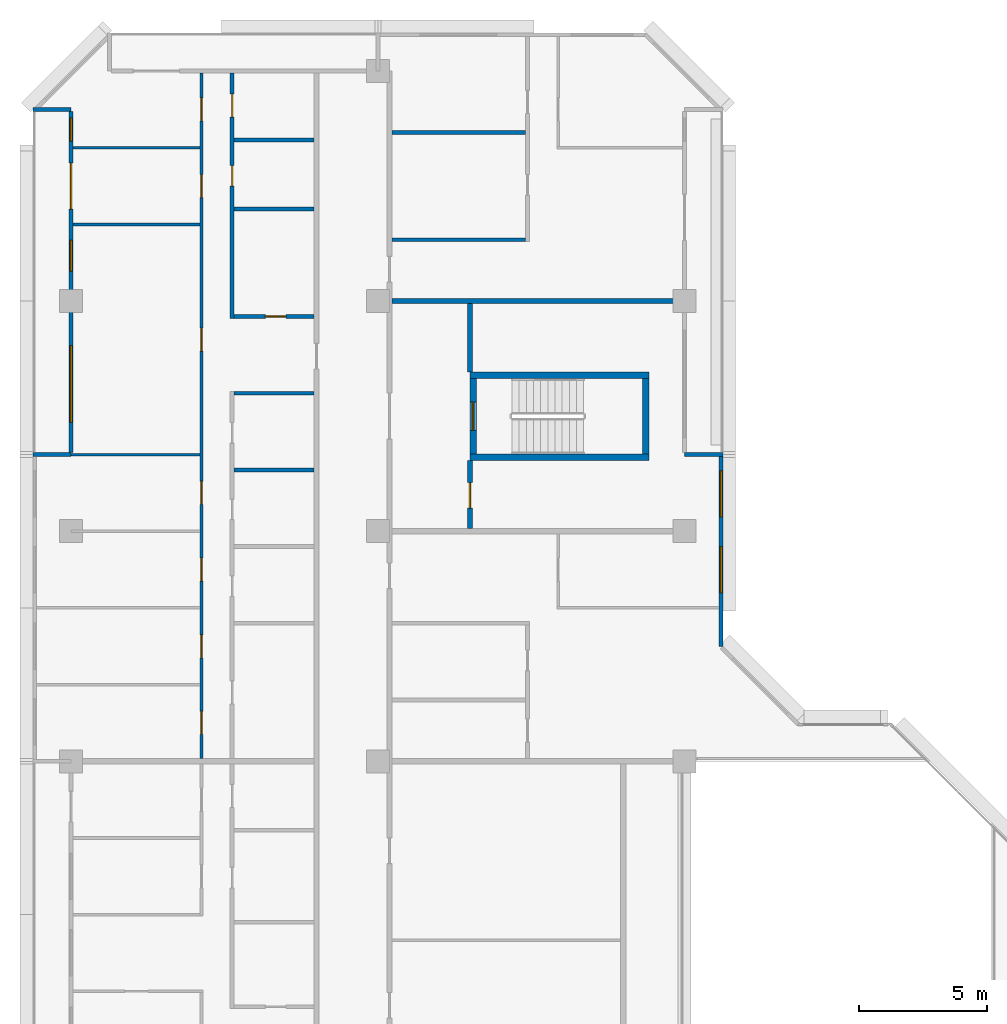
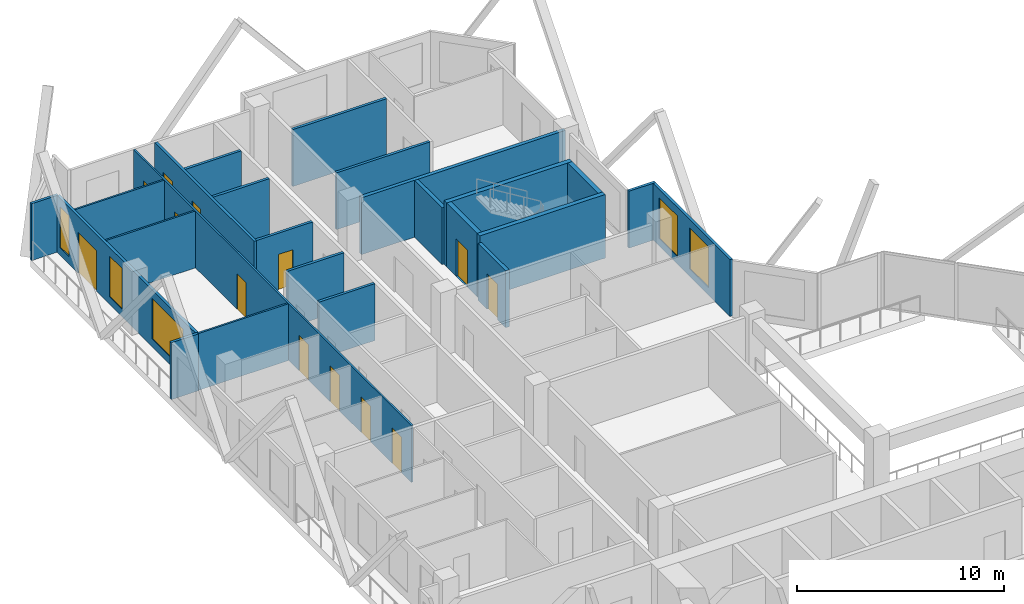
# One storey, part 10 of 15: 24 walls, 13 doors, 5 windows, 18 openings.
"""IFC4 building model written with IfcOpenShell, lengths in metres."""

from ifc_helpers import new_model, si_unit, direction, frame, frame_2d, origin, place, context, subcontext, project, spatial, rectangle, extrude, material, layer, layer_set, type_object, element, fill, save


model = new_model("IFC4")

# Units and contexts
model_context = context("Model", 3, precision=1e-05, world=origin(), true_north=direction((0.0, 1.0)))
body_context = subcontext(model_context, "Body", "Model", "MODEL_VIEW")
ifc_project = project(units=[si_unit("LENGTHUNIT", "METRE"), si_unit("AREAUNIT", "SQUARE_METRE"), si_unit("VOLUMEUNIT", "CUBIC_METRE"), si_unit("PLANEANGLEUNIT", "RADIAN"), si_unit("MASSUNIT", "GRAM", prefix="KILO")], contexts=[model_context])

# Site, building, storey
site_placement = place(None, origin())
site = spatial("IfcSite", under=ifc_project, at=site_placement, CompositionType="ELEMENT")
building_placement = place(site_placement, origin())
building = spatial("IfcBuilding", under=site, at=building_placement, Name="Chenar Terraces", CompositionType="ELEMENT")
storey_placement = place(building_placement, frame((0.0, 0.0, 172.39990234375)))
storey = spatial("IfcBuildingStorey", under=building, at=storey_placement, Name="L39", CompositionType="ELEMENT", Elevation=172.39990234375)

# Walls
ifc_material_1 = material(Name="Concrete C60/75", Category="concrete")
ifc_layer_1 = layer(ifc_material_1, 0.25)
ifc_layer_set_1 = layer_set([ifc_layer_1], Name="Concrete C60/75")
wall_type_1 = type_object("IfcWallType", Name="Core wall 250 Concrete C60/75", PredefinedType="SHEAR", material=ifc_layer_set_1)
for number, where, z_axis, x_axis, name in (
    (1, (15.60009765625, 47.89990234375, 0.0), (0.0, 0.0, 1.0), (1.0, 0.0, 0.0), "Core wall ST4_S L39"),
    (2, (15.60009765625, 51.10009765625, 0.0), (0.0, 0.0, 1.0), (1.0, 0.0, 0.0), "Core wall ST4_N L39"),
):
    element("IfcWall", number, at=place(storey_placement, frame(where, z_axis=z_axis, x_axis=x_axis)), inside=storey, type_object=wall_type_1, Name=name, PredefinedType="SHEAR", context=body_context, shape_type="SweptSolid", body=[
        extrude(rectangle(XDim=7.0, YDim=0.25, at=frame_2d((3.5, 0.0))), origin(), (0.0, 0.0, 1.0), 3.75),
    ])

# Wall, opening, door
wall_1_placement = place(storey_placement, frame((15.72509765625, 48.02490234375, 0.0), z_axis=(0.0, 0.0, 1.0), x_axis=(0.0, 1.0, 0.0)))
wall_1 = element("IfcWall", 3, at=wall_1_placement, inside=storey, type_object=wall_type_1, Name="Core wall ST4_W L39", PredefinedType="SHEAR", context=body_context, shape_type="SweptSolid", body=[
    extrude(rectangle(XDim=2.9501953125, YDim=0.25, at=frame_2d((1.47509765625, 0.0))), origin(), (0.0, 0.0, 1.0), 3.75),
])
opening_1_placement = place(wall_1_placement, frame((0.925048828125, 0.0, 0.0)))
opening_1 = element("IfcOpeningElement", 4, at=opening_1_placement, cuts=wall_1, Name="Opening DL39-C9", PredefinedType="OPENING", context=body_context, shape_type="SweptSolid", body=[
    extrude(rectangle(XDim=1.10009765625, YDim=2.199951171875, at=frame_2d((0.550048828125, 1.10009765625))), frame((0.0, 0.135009765625, 0.0), z_axis=(0.0, -1.0, 0.0), x_axis=(1.0, 0.0, 0.0)), (0.0, 0.0, 1.0), 0.27001953125),
])
ifc_material_2 = material(Name="Steel-framed fire-resisting door leaf", Category="steel")
door_type_1 = type_object("IfcDoorType", Name="Stair fire door FD60 1100 x 2200", OperationType="SINGLE_SWING_LEFT", PredefinedType="DOOR", material=ifc_material_2)
door_1_placement = place(opening_1_placement, frame((1.10009765625, 0.0, 0.0), z_axis=(0.0, 0.0, 1.0), x_axis=(-1.0, 0.0, 0.0)))
door_1 = element("IfcDoor", 5, at=door_1_placement, inside=storey, type_object=door_type_1, Name="Stair door DL39-C9", OperationType="SINGLE_SWING_RIGHT", OverallHeight=2.199951171875, OverallWidth=1.10009765625, PredefinedType="DOOR", context=body_context, shape_type="SweptSolid", body=[
    extrude(rectangle(XDim=1.10009765625, YDim=2.199951171875, at=frame_2d((0.550048828125, 1.10009765625))), frame((0.0, 0.02490234375, 0.0), z_axis=(0.0, -1.0, 0.0), x_axis=(1.0, 0.0, 0.0)), (0.0, 0.0, 1.0), 0.050048828125),
])
fill(opening_1, door_1)

# Wall
wall_2_placement = place(storey_placement, frame((22.47509765625, 48.02490234375, 0.0), z_axis=(0.0, 0.0, 1.0), x_axis=(0.0, 1.0, 0.0)))
element("IfcWall", 6, at=wall_2_placement, inside=storey, type_object=wall_type_1, Name="Core wall ST4_E L39", PredefinedType="SHEAR", context=body_context, shape_type="SweptSolid", body=[
    extrude(rectangle(XDim=2.9501953125, YDim=0.25, at=frame_2d((1.47509765625, 0.0))), origin(), (0.0, 0.0, 1.0), 3.75),
])

# Wall, opening, door
ifc_material_3 = material(Name="Gypsum board on steel studs with fire boards", Category="steel")
ifc_layer_2 = layer(ifc_material_3, 0.199951171875)
ifc_layer_set_2 = layer_set([ifc_layer_2], Name="Gypsum board on steel studs with fire boards")
wall_type_2 = type_object("IfcWallType", Name="Corridor wall 200", PredefinedType="PARTITIONING", material=ifc_layer_set_2)
wall_3_placement = place(storey_placement, frame((15.60009765625, 45.10009765625, 0.0), z_axis=(0.0, 0.0, 1.0), x_axis=(0.0, 1.0, 0.0)))
wall_3 = element("IfcWall", 7, at=wall_3_placement, inside=storey, type_object=wall_type_2, Name="Partition L39-046", PredefinedType="PARTITIONING", context=body_context, shape_type="SweptSolid", body=[
    extrude(rectangle(XDim=2.6748046875, YDim=0.199951171875, at=frame_2d((1.33740234375, 0.0))), origin(), (0.0, 0.0, 1.0), 3.35009765625),
])
opening_2_placement = place(wall_3_placement, frame((0.800048828125, 0.0, 0.0)))
opening_2 = element("IfcOpeningElement", 8, at=opening_2_placement, cuts=wall_3, Name="Opening DL39-43", PredefinedType="OPENING", context=body_context, shape_type="SweptSolid", body=[
    extrude(rectangle(XDim=1.0, YDim=2.10009765625, at=frame_2d((0.5, 1.050048828125))), frame((0.0, 0.10986328125, 0.0), z_axis=(0.0, -1.0, 0.0), x_axis=(1.0, 0.0, 0.0)), (0.0, 0.0, 1.0), 0.219970703125),
])
ifc_material_4 = material(Name="Steel-framed fire-resisting door leaf", Category="steel")
door_type_2 = type_object("IfcDoorType", Name="Fire door FD60 1000 x 2100", OperationType="SINGLE_SWING_LEFT", PredefinedType="DOOR", material=ifc_material_4)
door_2_placement = place(opening_2_placement, frame((1.0, 0.0, 0.0), z_axis=(0.0, 0.0, 1.0), x_axis=(-1.0, 0.0, 0.0)))
door_2 = element("IfcDoor", 9, at=door_2_placement, inside=storey, type_object=door_type_2, Name="Door DL39-43", OperationType="SINGLE_SWING_RIGHT", OverallHeight=2.10009765625, OverallWidth=1.0, PredefinedType="DOOR", context=body_context, shape_type="SweptSolid", body=[
    extrude(rectangle(XDim=1.0, YDim=2.10009765625, at=frame_2d((0.5, 1.050048828125))), frame((0.0, 0.02490234375, 0.0), z_axis=(0.0, -1.0, 0.0), x_axis=(1.0, 0.0, 0.0)), (0.0, 0.0, 1.0), 0.050048828125),
])
fill(opening_2, door_2)

# Wall
wall_4_placement = place(storey_placement, frame((15.60009765625, 51.22509765625, 0.0), z_axis=(0.0, 0.0, 1.0), x_axis=(0.0, 1.0, 0.0)))
element("IfcWall", 10, at=wall_4_placement, inside=storey, type_object=wall_type_2, Name="Partition L39-047", PredefinedType="PARTITIONING", context=body_context, shape_type="SweptSolid", body=[
    extrude(rectangle(XDim=2.6748046875, YDim=0.199951171875, at=frame_2d((1.33740234375, 0.0))), origin(), (0.0, 0.0, 1.0), 3.35009765625),
])

# Wall, openings, windows
ifc_material_5 = material(Name="Aluminium framed glazing", Category="aluminium")
ifc_layer_3 = layer(ifc_material_5, 0.14990234375)
ifc_layer_set_3 = layer_set([ifc_layer_3], Name="Aluminium framed glazing")
wall_type_3 = type_object("IfcWallType", Name="Glazed flush facade wall 150", PredefinedType="SOLIDWALL", material=ifc_layer_set_3)
wall_5_placement = place(storey_placement, frame((25.425048828125, 40.5, 0.0), z_axis=(0.0, 0.0, 1.0), x_axis=(0.0, 1.0, 0.0)))
wall_5 = element("IfcWall", 11, at=wall_5_placement, inside=storey, type_object=wall_type_3, Name="Glazed flush facade wall", PredefinedType="SOLIDWALL", context=body_context, shape_type="SweptSolid", body=[
    extrude(rectangle(XDim=7.425048828125, YDim=0.14990234375, at=frame_2d((3.71240234375, 0.0))), origin(), (0.0, 0.0, 1.0), 3.35009765625),
])
opening_3_placement = place(wall_5_placement, frame((2.10009765625, 0.0, 0.449951171875)))
opening_3 = element("IfcOpeningElement", 12, at=opening_3_placement, cuts=wall_5, Name="Opening W180x240", PredefinedType="OPENING", context=body_context, shape_type="SweptSolid", body=[
    extrude(rectangle(XDim=1.800048828125, YDim=2.39990234375, at=frame_2d((0.89990234375, 1.199951171875))), frame((0.0, 0.0849609375, 0.0), z_axis=(0.0, -1.0, 0.0), x_axis=(1.0, 0.0, 0.0)), (0.0, 0.0, 1.0), 0.169921875),
])
opening_4_placement = place(wall_5_placement, frame((5.0625, 0.0, 0.449951171875)))
opening_4 = element("IfcOpeningElement", 13, at=opening_4_placement, cuts=wall_5, Name="Opening W180x240", PredefinedType="OPENING", context=body_context, shape_type="SweptSolid", body=[
    extrude(rectangle(XDim=1.800048828125, YDim=2.39990234375, at=frame_2d((0.89990234375, 1.199951171875))), frame((0.0, 0.0849609375, 0.0), z_axis=(0.0, -1.0, 0.0), x_axis=(1.0, 0.0, 0.0)), (0.0, 0.0, 1.0), 0.169921875),
])
ifc_material_6 = material(Name="Low emissivity double glazing, aluminium frame", Category="aluminium")
window_type_1 = type_object("IfcWindowType", Name="Fixed light 1800 x 2400", PartitioningType="SINGLE_PANEL", PredefinedType="WINDOW", material=ifc_material_6)
window_1_placement = place(opening_3_placement, origin())
window_1 = element("IfcWindow", 14, at=window_1_placement, inside=storey, type_object=window_type_1, Name="Window", OverallHeight=2.39990234375, OverallWidth=1.800048828125, PartitioningType="SINGLE_PANEL", PredefinedType="WINDOW", context=body_context, shape_type="SweptSolid", body=[
    extrude(rectangle(XDim=1.800048828125, YDim=2.39990234375, at=frame_2d((0.89990234375, 1.199951171875))), frame((0.0, 0.030029296875, 0.0), z_axis=(0.0, -1.0, 0.0), x_axis=(1.0, 0.0, 0.0)), (0.0, 0.0, 1.0), 0.06005859375),
])
fill(opening_3, window_1)
window_2_placement = place(opening_4_placement, origin())
window_2 = element("IfcWindow", 15, at=window_2_placement, inside=storey, type_object=window_type_1, Name="Window", OverallHeight=2.39990234375, OverallWidth=1.800048828125, PartitioningType="SINGLE_PANEL", PredefinedType="WINDOW", context=body_context, shape_type="SweptSolid", body=[
    extrude(rectangle(XDim=1.800048828125, YDim=2.39990234375, at=frame_2d((0.89990234375, 1.199951171875))), frame((0.0, 0.030029296875, 0.0), z_axis=(0.0, -1.0, 0.0), x_axis=(1.0, 0.0, 0.0)), (0.0, 0.0, 1.0), 0.06005859375),
])
fill(opening_4, window_2)

# Wall, openings, windows, door
ifc_material_7 = material(Name="Aluminium framed glazing", Category="aluminium")
ifc_layer_4 = layer(ifc_material_7, 0.14990234375)
ifc_layer_set_4 = layer_set([ifc_layer_4], Name="Aluminium framed glazing")
wall_type_4 = type_object("IfcWallType", Name="Glazed loggia back wall 150", PredefinedType="SOLIDWALL", material=ifc_layer_set_4)
wall_6_placement = place(storey_placement, frame((0.0, 61.425048828125, 0.0), z_axis=(0.0, 0.0, 1.0), x_axis=(0.0, -1.0, 0.0)))
wall_6 = element("IfcWall", 16, at=wall_6_placement, inside=storey, type_object=wall_type_4, Name="Glazed loggia back wall", PredefinedType="SOLIDWALL", context=body_context, shape_type="SweptSolid", body=[
    extrude(rectangle(XDim=13.35009765625, YDim=0.14990234375, at=frame_2d((6.675048828125, 0.0))), origin(), (0.0, 0.0, 1.0), 3.35009765625),
])
opening_5_placement = place(wall_6_placement, frame((0.262451171875, 0.0, 0.449951171875)))
opening_5 = element("IfcOpeningElement", 17, at=opening_5_placement, cuts=wall_6, Name="Opening W90x240", PredefinedType="OPENING", context=body_context, shape_type="SweptSolid", body=[
    extrude(rectangle(XDim=0.89990234375, YDim=2.39990234375, at=frame_2d((0.449951171875, 1.199951171875))), frame((0.0, 0.0849609375, 0.0), z_axis=(0.0, -1.0, 0.0), x_axis=(1.0, 0.0, 0.0)), (0.0, 0.0, 1.0), 0.169921875),
])
opening_6_placement = place(wall_6_placement, frame((2.02490234375, 0.0, 0.0)))
opening_6 = element("IfcOpeningElement", 18, at=opening_6_placement, cuts=wall_6, Name="Opening DL39-G4", PredefinedType="OPENING", context=body_context, shape_type="SweptSolid", body=[
    extrude(rectangle(XDim=1.800048828125, YDim=2.39990234375, at=frame_2d((0.89990234375, 1.199951171875))), frame((0.0, 0.0849609375, 0.0), z_axis=(0.0, -1.0, 0.0), x_axis=(1.0, 0.0, 0.0)), (0.0, 0.0, 1.0), 0.169921875),
])
opening_7_placement = place(wall_6_placement, frame((5.050048828125, 0.0, 0.449951171875)))
opening_7 = element("IfcOpeningElement", 19, at=opening_7_placement, cuts=wall_6, Name="Opening W120x240", PredefinedType="OPENING", context=body_context, shape_type="SweptSolid", body=[
    extrude(rectangle(XDim=1.199951171875, YDim=2.39990234375, at=frame_2d((0.60009765625, 1.199951171875))), frame((0.0, 0.0849609375, 0.0), z_axis=(0.0, -1.0, 0.0), x_axis=(1.0, 0.0, 0.0)), (0.0, 0.0, 1.0), 0.169921875),
])
opening_8_placement = place(wall_6_placement, frame((9.16259765625, 0.0, 0.449951171875)))
opening_8 = element("IfcOpeningElement", 20, at=opening_8_placement, cuts=wall_6, Name="Opening W300x240", PredefinedType="OPENING", context=body_context, shape_type="SweptSolid", body=[
    extrude(rectangle(XDim=3.0, YDim=2.39990234375, at=frame_2d((1.5, 1.199951171875))), frame((0.0, 0.0849609375, 0.0), z_axis=(0.0, -1.0, 0.0), x_axis=(1.0, 0.0, 0.0)), (0.0, 0.0, 1.0), 0.169921875),
])
ifc_material_8 = material(Name="Low emissivity double glazing, aluminium frame", Category="aluminium")
window_type_2 = type_object("IfcWindowType", Name="Fixed light 1200 x 2400", PartitioningType="SINGLE_PANEL", PredefinedType="WINDOW", material=ifc_material_8)
window_3_placement = place(opening_7_placement, origin())
window_3 = element("IfcWindow", 21, at=window_3_placement, inside=storey, type_object=window_type_2, Name="Window", OverallHeight=2.39990234375, OverallWidth=1.199951171875, PartitioningType="SINGLE_PANEL", PredefinedType="WINDOW", context=body_context, shape_type="SweptSolid", body=[
    extrude(rectangle(XDim=1.199951171875, YDim=2.39990234375, at=frame_2d((0.60009765625, 1.199951171875))), frame((0.0, 0.030029296875, 0.0), z_axis=(0.0, -1.0, 0.0), x_axis=(1.0, 0.0, 0.0)), (0.0, 0.0, 1.0), 0.06005859375),
])
fill(opening_7, window_3)
ifc_material_9 = material(Name="Low emissivity double glazing, aluminium frame", Category="aluminium")
window_type_3 = type_object("IfcWindowType", Name="Fixed light 3000 x 2400", PartitioningType="SINGLE_PANEL", PredefinedType="WINDOW", material=ifc_material_9)
window_4_placement = place(opening_8_placement, origin())
window_4 = element("IfcWindow", 22, at=window_4_placement, inside=storey, type_object=window_type_3, Name="Window", OverallHeight=2.39990234375, OverallWidth=3.0, PartitioningType="SINGLE_PANEL", PredefinedType="WINDOW", context=body_context, shape_type="SweptSolid", body=[
    extrude(rectangle(XDim=3.0, YDim=2.39990234375, at=frame_2d((1.5, 1.199951171875))), frame((0.0, 0.030029296875, 0.0), z_axis=(0.0, -1.0, 0.0), x_axis=(1.0, 0.0, 0.0)), (0.0, 0.0, 1.0), 0.06005859375),
])
fill(opening_8, window_4)
ifc_material_10 = material(Name="Low emissivity double glazing, aluminium frame", Category="aluminium")
window_type_4 = type_object("IfcWindowType", Name="Fixed light 900 x 2400", PartitioningType="SINGLE_PANEL", PredefinedType="WINDOW", material=ifc_material_10)
window_5_placement = place(opening_5_placement, origin())
window_5 = element("IfcWindow", 23, at=window_5_placement, inside=storey, type_object=window_type_4, Name="Window", OverallHeight=2.39990234375, OverallWidth=0.89990234375, PartitioningType="SINGLE_PANEL", PredefinedType="WINDOW", context=body_context, shape_type="SweptSolid", body=[
    extrude(rectangle(XDim=0.89990234375, YDim=2.39990234375, at=frame_2d((0.449951171875, 1.199951171875))), frame((0.0, 0.030029296875, 0.0), z_axis=(0.0, -1.0, 0.0), x_axis=(1.0, 0.0, 0.0)), (0.0, 0.0, 1.0), 0.06005859375),
])
fill(opening_5, window_5)
ifc_material_11 = material(Name="Low emissivity double glazing, aluminium frame", Category="aluminium")
door_type_3 = type_object("IfcDoorType", Name="Loggia glazed double door 1800 x 2400", OperationType="DOUBLE_DOOR_SINGLE_SWING", PredefinedType="DOOR", material=ifc_material_11)
door_3_placement = place(opening_6_placement, frame((1.800048828125, 0.0, 0.0), z_axis=(0.0, 0.0, 1.0), x_axis=(-1.0, 0.0, 0.0)))
door_3 = element("IfcDoor", 24, at=door_3_placement, inside=storey, type_object=door_type_3, Name="Loggia glazed door", OperationType="DOUBLE_DOOR_SINGLE_SWING", OverallHeight=2.39990234375, OverallWidth=1.800048828125, PredefinedType="DOOR", context=body_context, shape_type="SweptSolid", body=[
    extrude(rectangle(XDim=1.800048828125, YDim=2.39990234375, at=frame_2d((0.89990234375, 1.199951171875))), frame((0.0, 0.02490234375, 0.0), z_axis=(0.0, -1.0, 0.0), x_axis=(1.0, 0.0, 0.0)), (0.0, 0.0, 1.0), 0.050048828125),
])
fill(opening_6, door_3)

# Walls
ifc_material_12 = material(Name="Gypsum board on steel studs", Category="steel")
ifc_layer_5 = layer(ifc_material_12, 0.10009765625)
ifc_layer_set_5 = layer_set([ifc_layer_5], Name="Gypsum board on steel studs")
wall_type_5 = type_object("IfcWallType", Name="Gypsum partition 100", PredefinedType="PARTITIONING", material=ifc_layer_set_5)
wall_7_placement = place(storey_placement, frame((0.0, 48.0, 0.0), z_axis=(0.0, 0.0, 1.0), x_axis=(1.0, 0.0, 0.0)))
element("IfcWall", 25, at=wall_7_placement, inside=storey, type_object=wall_type_5, Name="Partition L39-007", PredefinedType="PARTITIONING", context=body_context, shape_type="SweptSolid", body=[
    extrude(rectangle(XDim=5.050048828125, YDim=0.10009765625, at=frame_2d((2.52490234375, 0.0))), origin(), (0.0, 0.0, 1.0), 3.35009765625),
])
for number, where, z_axis, x_axis, name in (
    (26, (0.073974609375, 57.0, 0.0), (0.0, 0.0, 1.0), (1.0, 0.0, 0.0), "Partition L39-011"),
    (27, (0.073974609375, 60.0, 0.0), (0.0, 0.0, 1.0), (1.0, 0.0, 0.0), "Partition L39-012"),
):
    element("IfcWall", number, at=place(storey_placement, frame(where, z_axis=z_axis, x_axis=x_axis)), inside=storey, type_object=wall_type_5, Name=name, PredefinedType="PARTITIONING", context=body_context, shape_type="SweptSolid", body=[
        extrude(rectangle(XDim=4.97607421875, YDim=0.10009765625, at=frame_2d((2.488037109375, 0.0))), origin(), (0.0, 0.0, 1.0), 3.35009765625),
    ])

# Wall, openings, doors
wall_8_placement = place(storey_placement, frame((5.10009765625, 36.10009765625, 0.0), z_axis=(0.0, 0.0, 1.0), x_axis=(0.0, 1.0, 0.0)))
wall_8 = element("IfcWall", 28, at=wall_8_placement, inside=storey, type_object=wall_type_5, Name="Partition L39-016", PredefinedType="PARTITIONING", context=body_context, shape_type="SweptSolid", body=[
    extrude(rectangle(XDim=26.825927734375, YDim=0.10009765625, at=frame_2d((13.4130859375, 0.0))), origin(), (0.0, 0.0, 1.0), 3.35009765625),
])
opening_9_placement = place(wall_8_placement, frame((0.949951171875, 0.0, 0.0)))
opening_9 = element("IfcOpeningElement", 29, at=opening_9_placement, cuts=wall_8, Name="Opening DL39-24", PredefinedType="OPENING", context=body_context, shape_type="SweptSolid", body=[
    extrude(rectangle(XDim=0.89990234375, YDim=2.10009765625, at=frame_2d((0.449951171875, 1.050048828125))), frame((0.0, 0.06005859375, 0.0), z_axis=(0.0, -1.0, 0.0), x_axis=(1.0, 0.0, 0.0)), (0.0, 0.0, 1.0), 0.1201171875),
])
opening_10_placement = place(wall_8_placement, frame((3.949951171875, 0.0, 0.0)))
opening_10 = element("IfcOpeningElement", 30, at=opening_10_placement, cuts=wall_8, Name="Opening DL39-25", PredefinedType="OPENING", context=body_context, shape_type="SweptSolid", body=[
    extrude(rectangle(XDim=0.89990234375, YDim=2.10009765625, at=frame_2d((0.449951171875, 1.050048828125))), frame((0.0, 0.06005859375, 0.0), z_axis=(0.0, -1.0, 0.0), x_axis=(1.0, 0.0, 0.0)), (0.0, 0.0, 1.0), 0.1201171875),
])
opening_11_placement = place(wall_8_placement, frame((9.949951171875, 0.0, 0.0)))
opening_11 = element("IfcOpeningElement", 31, at=opening_11_placement, cuts=wall_8, Name="Opening DL39-26", PredefinedType="OPENING", context=body_context, shape_type="SweptSolid", body=[
    extrude(rectangle(XDim=0.89990234375, YDim=2.10009765625, at=frame_2d((0.449951171875, 1.050048828125))), frame((0.0, 0.06005859375, 0.0), z_axis=(0.0, -1.0, 0.0), x_axis=(1.0, 0.0, 0.0)), (0.0, 0.0, 1.0), 0.1201171875),
])
opening_12_placement = place(wall_8_placement, frame((21.949951171875, 0.0, 0.0)))
opening_12 = element("IfcOpeningElement", 32, at=opening_12_placement, cuts=wall_8, Name="Opening DL39-27", PredefinedType="OPENING", context=body_context, shape_type="SweptSolid", body=[
    extrude(rectangle(XDim=0.89990234375, YDim=2.10009765625, at=frame_2d((0.449951171875, 1.050048828125))), frame((0.0, 0.06005859375, 0.0), z_axis=(0.0, -1.0, 0.0), x_axis=(1.0, 0.0, 0.0)), (0.0, 0.0, 1.0), 0.1201171875),
])
opening_13_placement = place(wall_8_placement, frame((24.949951171875, 0.0, 0.0)))
opening_13 = element("IfcOpeningElement", 33, at=opening_13_placement, cuts=wall_8, Name="Opening DL39-28", PredefinedType="OPENING", context=body_context, shape_type="SweptSolid", body=[
    extrude(rectangle(XDim=0.89990234375, YDim=2.10009765625, at=frame_2d((0.449951171875, 1.050048828125))), frame((0.0, 0.06005859375, 0.0), z_axis=(0.0, -1.0, 0.0), x_axis=(1.0, 0.0, 0.0)), (0.0, 0.0, 1.0), 0.1201171875),
])
opening_14_placement = place(wall_8_placement, frame((15.949951171875, 0.0, 0.0)))
opening_14 = element("IfcOpeningElement", 34, at=opening_14_placement, cuts=wall_8, Name="Opening DL39-32", PredefinedType="OPENING", context=body_context, shape_type="SweptSolid", body=[
    extrude(rectangle(XDim=0.89990234375, YDim=2.10009765625, at=frame_2d((0.449951171875, 1.050048828125))), frame((0.0, 0.06005859375, 0.0), z_axis=(0.0, -1.0, 0.0), x_axis=(1.0, 0.0, 0.0)), (0.0, 0.0, 1.0), 0.1201171875),
])
opening_15_placement = place(wall_8_placement, frame((6.949951171875, 0.0, 0.0)))
opening_15 = element("IfcOpeningElement", 35, at=opening_15_placement, cuts=wall_8, Name="Opening DL39-34", PredefinedType="OPENING", context=body_context, shape_type="SweptSolid", body=[
    extrude(rectangle(XDim=0.89990234375, YDim=2.10009765625, at=frame_2d((0.449951171875, 1.050048828125))), frame((0.0, 0.06005859375, 0.0), z_axis=(0.0, -1.0, 0.0), x_axis=(1.0, 0.0, 0.0)), (0.0, 0.0, 1.0), 0.1201171875),
])
ifc_material_13 = material(Name="Veneered timber door leaf", Category="wood")
door_type_4 = type_object("IfcDoorType", Name="Door 900 x 2100", OperationType="SINGLE_SWING_LEFT", PredefinedType="DOOR", material=ifc_material_13)
door_4_placement = place(opening_9_placement, origin())
door_4 = element("IfcDoor", 36, at=door_4_placement, inside=storey, type_object=door_type_4, Name="Door DL39-24", OperationType="SINGLE_SWING_RIGHT", OverallHeight=2.10009765625, OverallWidth=0.89990234375, PredefinedType="DOOR", context=body_context, shape_type="SweptSolid", body=[
    extrude(rectangle(XDim=0.89990234375, YDim=2.10009765625, at=frame_2d((0.449951171875, 1.050048828125))), frame((0.0, 0.02490234375, 0.0), z_axis=(0.0, -1.0, 0.0), x_axis=(1.0, 0.0, 0.0)), (0.0, 0.0, 1.0), 0.050048828125),
])
fill(opening_9, door_4)
door_5_placement = place(opening_10_placement, origin())
door_5 = element("IfcDoor", 37, at=door_5_placement, inside=storey, type_object=door_type_4, Name="Door DL39-25", OperationType="SINGLE_SWING_RIGHT", OverallHeight=2.10009765625, OverallWidth=0.89990234375, PredefinedType="DOOR", context=body_context, shape_type="SweptSolid", body=[
    extrude(rectangle(XDim=0.89990234375, YDim=2.10009765625, at=frame_2d((0.449951171875, 1.050048828125))), frame((0.0, 0.02490234375, 0.0), z_axis=(0.0, -1.0, 0.0), x_axis=(1.0, 0.0, 0.0)), (0.0, 0.0, 1.0), 0.050048828125),
])
fill(opening_10, door_5)
door_6_placement = place(opening_11_placement, origin())
door_6 = element("IfcDoor", 38, at=door_6_placement, inside=storey, type_object=door_type_4, Name="Door DL39-26", OperationType="SINGLE_SWING_RIGHT", OverallHeight=2.10009765625, OverallWidth=0.89990234375, PredefinedType="DOOR", context=body_context, shape_type="SweptSolid", body=[
    extrude(rectangle(XDim=0.89990234375, YDim=2.10009765625, at=frame_2d((0.449951171875, 1.050048828125))), frame((0.0, 0.02490234375, 0.0), z_axis=(0.0, -1.0, 0.0), x_axis=(1.0, 0.0, 0.0)), (0.0, 0.0, 1.0), 0.050048828125),
])
fill(opening_11, door_6)
door_7_placement = place(opening_12_placement, origin())
door_7 = element("IfcDoor", 39, at=door_7_placement, inside=storey, type_object=door_type_4, Name="Door DL39-27", OperationType="SINGLE_SWING_RIGHT", OverallHeight=2.10009765625, OverallWidth=0.89990234375, PredefinedType="DOOR", context=body_context, shape_type="SweptSolid", body=[
    extrude(rectangle(XDim=0.89990234375, YDim=2.10009765625, at=frame_2d((0.449951171875, 1.050048828125))), frame((0.0, 0.02490234375, 0.0), z_axis=(0.0, -1.0, 0.0), x_axis=(1.0, 0.0, 0.0)), (0.0, 0.0, 1.0), 0.050048828125),
])
fill(opening_12, door_7)
door_8_placement = place(opening_13_placement, origin())
door_8 = element("IfcDoor", 40, at=door_8_placement, inside=storey, type_object=door_type_4, Name="Door DL39-28", OperationType="SINGLE_SWING_RIGHT", OverallHeight=2.10009765625, OverallWidth=0.89990234375, PredefinedType="DOOR", context=body_context, shape_type="SweptSolid", body=[
    extrude(rectangle(XDim=0.89990234375, YDim=2.10009765625, at=frame_2d((0.449951171875, 1.050048828125))), frame((0.0, 0.02490234375, 0.0), z_axis=(0.0, -1.0, 0.0), x_axis=(1.0, 0.0, 0.0)), (0.0, 0.0, 1.0), 0.050048828125),
])
fill(opening_13, door_8)
door_9_placement = place(opening_14_placement, frame((0.89990234375, 0.0, 0.0), z_axis=(0.0, 0.0, 1.0), x_axis=(-1.0, 0.0, 0.0)))
door_9 = element("IfcDoor", 41, at=door_9_placement, inside=storey, type_object=door_type_4, Name="Door DL39-32", OperationType="SINGLE_SWING_LEFT", OverallHeight=2.10009765625, OverallWidth=0.89990234375, PredefinedType="DOOR", context=body_context, shape_type="SweptSolid", body=[
    extrude(rectangle(XDim=0.89990234375, YDim=2.10009765625, at=frame_2d((0.449951171875, 1.050048828125))), frame((0.0, 0.02490234375, 0.0), z_axis=(0.0, -1.0, 0.0), x_axis=(1.0, 0.0, 0.0)), (0.0, 0.0, 1.0), 0.050048828125),
])
fill(opening_14, door_9)
door_10_placement = place(opening_15_placement, origin())
door_10 = element("IfcDoor", 42, at=door_10_placement, inside=storey, type_object=door_type_4, Name="Door DL39-34", OperationType="SINGLE_SWING_RIGHT", OverallHeight=2.10009765625, OverallWidth=0.89990234375, PredefinedType="DOOR", context=body_context, shape_type="SweptSolid", body=[
    extrude(rectangle(XDim=0.89990234375, YDim=2.10009765625, at=frame_2d((0.449951171875, 1.050048828125))), frame((0.0, 0.02490234375, 0.0), z_axis=(0.0, -1.0, 0.0), x_axis=(1.0, 0.0, 0.0)), (0.0, 0.0, 1.0), 0.050048828125),
])
fill(opening_15, door_10)

# Walls
ifc_material_14 = material(Name="Terracotta cladding on insulated backing", Category="masonry")
ifc_layer_6 = layer(ifc_material_14, 0.14990234375)
ifc_layer_set_6 = layer_set([ifc_layer_6], Name="Terracotta cladding on insulated backing")
wall_type_6 = type_object("IfcWallType", Name="Loggia return wall 150", PredefinedType="SOLIDWALL", material=ifc_layer_set_6)
for number, where, z_axis, x_axis, name in (
    (43, (25.5, 48.0, 0.0), (0.0, 0.0, 1.0), (-1.0, 0.0, 0.0), "Loggia return wall"),
    (44, (-1.5, 61.5, 0.0), (0.0, 0.0, 1.0), (1.0, 0.0, 0.0), "Loggia return wall"),
    (45, (-1.5, 48.0, 0.0), (0.0, 0.0, 1.0), (1.0, 0.0, 0.0), "Loggia return wall"),
):
    element("IfcWall", number, at=place(storey_placement, frame(where, z_axis=z_axis, x_axis=x_axis)), inside=storey, type_object=wall_type_6, Name=name, PredefinedType="SOLIDWALL", context=body_context, shape_type="SweptSolid", body=[
        extrude(rectangle(XDim=1.5, YDim=0.14990234375, at=frame_2d((0.75, 0.0))), origin(), (0.0, 0.0, 1.0), 3.35009765625),
    ])
ifc_material_15 = material(Name="Twin gypsum board on steel studs with mineral wool", Category="steel")
ifc_layer_7 = layer(ifc_material_15, 0.199951171875)
ifc_layer_set_7 = layer_set([ifc_layer_7], Name="Twin gypsum board on steel studs with mineral wool")
wall_type_7 = type_object("IfcWallType", Name="Unit demising wall 200", PredefinedType="PARTITIONING", material=ifc_layer_set_7)
wall_9_placement = place(storey_placement, frame((12.550048828125, 54.0, 0.0), z_axis=(0.0, 0.0, 1.0), x_axis=(1.0, 0.0, 0.0)))
element("IfcWall", 46, at=wall_9_placement, inside=storey, type_object=wall_type_7, Name="Partition L39-042", PredefinedType="PARTITIONING", context=body_context, shape_type="SweptSolid", body=[
    extrude(rectangle(XDim=11.3759765625, YDim=0.199951171875, at=frame_2d((5.68798828125, 0.0))), origin(), (0.0, 0.0, 1.0), 3.35009765625),
])

# Wall, openings, doors
ifc_material_16 = material(Name="Moisture-resistant gypsum board on steel studs", Category="steel")
ifc_layer_8 = layer(ifc_material_16, 0.14990234375)
ifc_layer_set_8 = layer_set([ifc_layer_8], Name="Moisture-resistant gypsum board on steel studs")
wall_type_8 = type_object("IfcWallType", Name="Wet-room partition 150", PredefinedType="PARTITIONING", material=ifc_layer_set_8)
wall_10_placement = place(storey_placement, frame((6.300048828125, 53.324951171875, 0.0), z_axis=(0.0, 0.0, 1.0), x_axis=(0.0, 1.0, 0.0)))
wall_10 = element("IfcWall", 47, at=wall_10_placement, inside=storey, type_object=wall_type_8, Name="Partition L39-019", PredefinedType="PARTITIONING", context=body_context, shape_type="SweptSolid", body=[
    extrude(rectangle(XDim=9.60107421875, YDim=0.14990234375, at=frame_2d((4.800537109375, 0.0))), origin(), (0.0, 0.0, 1.0), 3.35009765625),
])
opening_16_placement = place(wall_10_placement, frame((7.875, 0.0, 0.0)))
opening_16 = element("IfcOpeningElement", 48, at=opening_16_placement, cuts=wall_10, Name="Opening DL39-33", PredefinedType="OPENING", context=body_context, shape_type="SweptSolid", body=[
    extrude(rectangle(XDim=0.89990234375, YDim=2.10009765625, at=frame_2d((0.449951171875, 1.050048828125))), frame((0.0, 0.0849609375, 0.0), z_axis=(0.0, -1.0, 0.0), x_axis=(1.0, 0.0, 0.0)), (0.0, 0.0, 1.0), 0.169921875),
])
opening_17_placement = place(wall_10_placement, frame((5.175048828125, 0.0, 0.0)))
opening_17 = element("IfcOpeningElement", 49, at=opening_17_placement, cuts=wall_10, Name="Opening DL39-37", PredefinedType="OPENING", context=body_context, shape_type="SweptSolid", body=[
    extrude(rectangle(XDim=0.800048828125, YDim=2.10009765625, at=frame_2d((0.39990234375, 1.050048828125))), frame((0.0, 0.0849609375, 0.0), z_axis=(0.0, -1.0, 0.0), x_axis=(1.0, 0.0, 0.0)), (0.0, 0.0, 1.0), 0.169921875),
])
ifc_material_17 = material(Name="Veneered timber door leaf", Category="wood")
door_type_5 = type_object("IfcDoorType", Name="Door 800 x 2100", OperationType="SINGLE_SWING_LEFT", PredefinedType="DOOR", material=ifc_material_17)
door_11_placement = place(opening_17_placement, frame((0.800048828125, 0.0, 0.0), z_axis=(0.0, 0.0, 1.0), x_axis=(-1.0, 0.0, 0.0)))
door_11 = element("IfcDoor", 50, at=door_11_placement, inside=storey, type_object=door_type_5, Name="Door DL39-37", OperationType="SINGLE_SWING_RIGHT", OverallHeight=2.10009765625, OverallWidth=0.800048828125, PredefinedType="DOOR", context=body_context, shape_type="SweptSolid", body=[
    extrude(rectangle(XDim=0.800048828125, YDim=2.10009765625, at=frame_2d((0.39990234375, 1.050048828125))), frame((0.0, 0.02490234375, 0.0), z_axis=(0.0, -1.0, 0.0), x_axis=(1.0, 0.0, 0.0)), (0.0, 0.0, 1.0), 0.050048828125),
])
fill(opening_17, door_11)
door_12_placement = place(opening_16_placement, frame((0.89990234375, 0.0, 0.0), z_axis=(0.0, 0.0, 1.0), x_axis=(-1.0, 0.0, 0.0)))
door_12 = element("IfcDoor", 51, at=door_12_placement, inside=storey, type_object=door_type_4, Name="Door DL39-33", OperationType="SINGLE_SWING_RIGHT", OverallHeight=2.10009765625, OverallWidth=0.89990234375, PredefinedType="DOOR", context=body_context, shape_type="SweptSolid", body=[
    extrude(rectangle(XDim=0.89990234375, YDim=2.10009765625, at=frame_2d((0.449951171875, 1.050048828125))), frame((0.0, 0.02490234375, 0.0), z_axis=(0.0, -1.0, 0.0), x_axis=(1.0, 0.0, 0.0)), (0.0, 0.0, 1.0), 0.050048828125),
])
fill(opening_16, door_12)

# Walls
for number, where, z_axis, x_axis, name in (
    (52, (6.375, 47.39990234375, 0.0), (0.0, 0.0, 1.0), (1.0, 0.0, 0.0), "Partition L39-025"),
    (53, (6.375, 50.39990234375, 0.0), (0.0, 0.0, 1.0), (1.0, 0.0, 0.0), "Partition L39-026"),
):
    element("IfcWall", number, at=place(storey_placement, frame(where, z_axis=z_axis, x_axis=x_axis)), inside=storey, type_object=wall_type_8, Name=name, PredefinedType="PARTITIONING", context=body_context, shape_type="SweptSolid", body=[
        extrude(rectangle(XDim=3.125, YDim=0.14990234375, at=frame_2d((1.5625, 0.0))), origin(), (0.0, 0.0, 1.0), 3.35009765625),
    ])

# Wall, opening, door
wall_11_placement = place(storey_placement, frame((6.375, 53.39990234375, 0.0), z_axis=(0.0, 0.0, 1.0), x_axis=(1.0, 0.0, 0.0)))
wall_11 = element("IfcWall", 54, at=wall_11_placement, inside=storey, type_object=wall_type_8, Name="Partition L39-027", PredefinedType="PARTITIONING", context=body_context, shape_type="SweptSolid", body=[
    extrude(rectangle(XDim=3.125, YDim=0.14990234375, at=frame_2d((1.5625, 0.0))), origin(), (0.0, 0.0, 1.0), 3.35009765625),
])
opening_18_placement = place(wall_11_placement, frame((1.22509765625, 0.0, 0.0)))
opening_18 = element("IfcOpeningElement", 55, at=opening_18_placement, cuts=wall_11, Name="Opening DL39-23", PredefinedType="OPENING", context=body_context, shape_type="SweptSolid", body=[
    extrude(rectangle(XDim=0.800048828125, YDim=2.10009765625, at=frame_2d((0.39990234375, 1.050048828125))), frame((0.0, 0.0849609375, 0.0), z_axis=(0.0, -1.0, 0.0), x_axis=(1.0, 0.0, 0.0)), (0.0, 0.0, 1.0), 0.169921875),
])
door_13_placement = place(opening_18_placement, origin())
door_13 = element("IfcDoor", 56, at=door_13_placement, inside=storey, type_object=door_type_5, Name="Door DL39-23", OperationType="SINGLE_SWING_RIGHT", OverallHeight=2.10009765625, OverallWidth=0.800048828125, PredefinedType="DOOR", context=body_context, shape_type="SweptSolid", body=[
    extrude(rectangle(XDim=0.800048828125, YDim=2.10009765625, at=frame_2d((0.39990234375, 1.050048828125))), frame((0.0, 0.02490234375, 0.0), z_axis=(0.0, -1.0, 0.0), x_axis=(1.0, 0.0, 0.0)), (0.0, 0.0, 1.0), 0.050048828125),
])
fill(opening_18, door_13)

# Walls
for number, where, z_axis, x_axis, name in (
    (57, (6.375, 57.60009765625, 0.0), (0.0, 0.0, 1.0), (1.0, 0.0, 0.0), "Partition L39-028"),
    (58, (6.375, 60.300048828125, 0.0), (0.0, 0.0, 1.0), (1.0, 0.0, 0.0), "Partition L39-029"),
):
    element("IfcWall", number, at=place(storey_placement, frame(where, z_axis=z_axis, x_axis=x_axis)), inside=storey, type_object=wall_type_8, Name=name, PredefinedType="PARTITIONING", context=body_context, shape_type="SweptSolid", body=[
        extrude(rectangle(XDim=3.125, YDim=0.14990234375, at=frame_2d((1.5625, 0.0))), origin(), (0.0, 0.0, 1.0), 3.35009765625),
    ])
for number, where, z_axis, x_axis, name in (
    (59, (12.550048828125, 56.39990234375, 0.0), (0.0, 0.0, 1.0), (1.0, 0.0, 0.0), "Partition L39-043"),
    (60, (12.550048828125, 60.60009765625, 0.0), (0.0, 0.0, 1.0), (1.0, 0.0, 0.0), "Partition L39-044"),
):
    element("IfcWall", number, at=place(storey_placement, frame(where, z_axis=z_axis, x_axis=x_axis)), inside=storey, type_object=wall_type_8, Name=name, PredefinedType="PARTITIONING", context=body_context, shape_type="SweptSolid", body=[
        extrude(rectangle(XDim=5.224853515625, YDim=0.14990234375, at=frame_2d((2.6123046875, 0.0))), origin(), (0.0, 0.0, 1.0), 3.35009765625),
    ])

save(model, "model.ifc")
